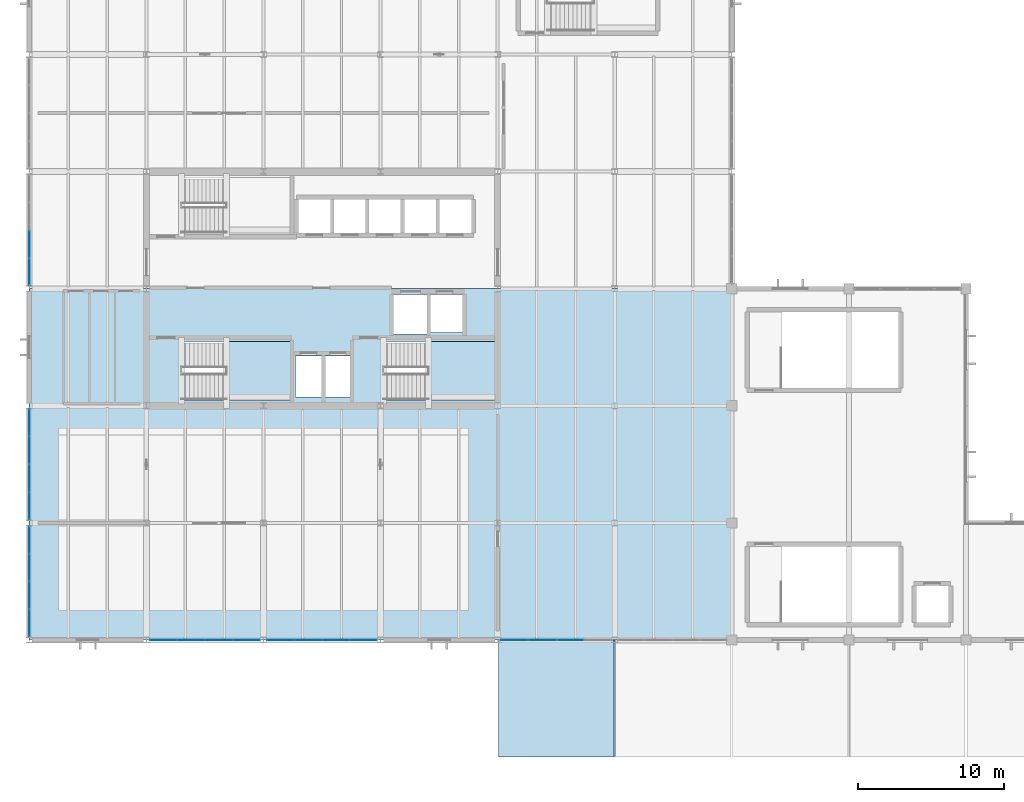
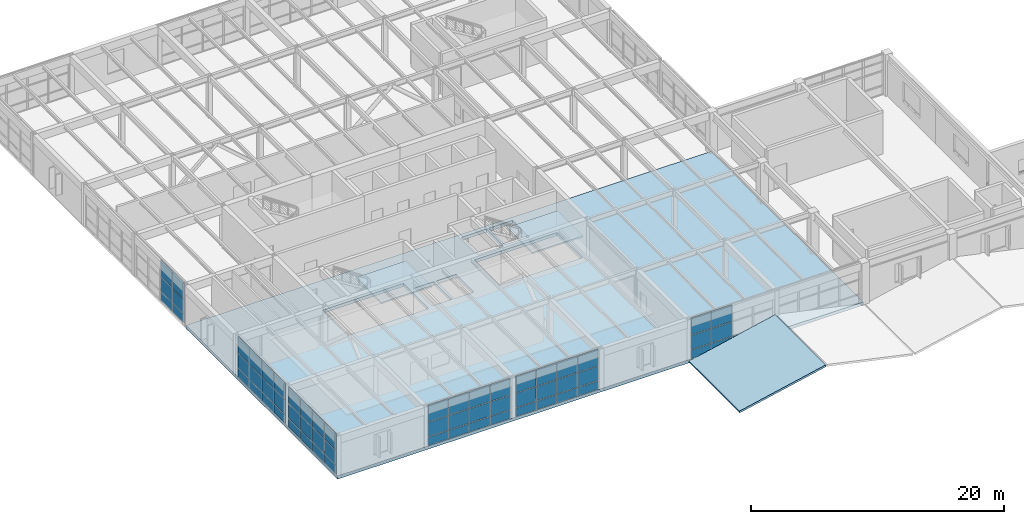
# One storey, part 29 of 48: 61 plates, 4 slabs, 8 elements without a shape of their own.
"""IFC4 building model written with IfcOpenShell, lengths in metres."""

from ifc_helpers import new_model, si_unit, direction, frame, origin, origin_2d, place, context, subcontext, project, spatial, polyline, rectangle, outline, extrude, material, layer, layer_set, type_object, element, aggregate, save


model = new_model("IFC4")

# Units and contexts
model_context = context("Model", 3, precision=1e-05, world=origin(), true_north=direction((0.0, 1.0)))
body_context = subcontext(model_context, "Body", "Model", "MODEL_VIEW")
ifc_project = project(units=[si_unit("LENGTHUNIT", "METRE"), si_unit("AREAUNIT", "SQUARE_METRE"), si_unit("VOLUMEUNIT", "CUBIC_METRE"), si_unit("PLANEANGLEUNIT", "RADIAN"), si_unit("MASSUNIT", "GRAM", prefix="KILO")], contexts=[model_context])

# Site, building, storey
site_placement = place(None, origin())
site = spatial("IfcSite", under=ifc_project, at=site_placement, CompositionType="ELEMENT")
building_placement = place(site_placement, origin())
building = spatial("IfcBuilding", under=site, at=building_placement, Name="Varnela Railside Interchange", CompositionType="ELEMENT")
storey_placement = place(building_placement, frame((0.0, 0.0, 11.199951171875)))
storey = spatial("IfcBuildingStorey", under=building, at=storey_placement, Name="L02", CompositionType="ELEMENT", Elevation=11.199951171875)

# Curtain wall, plates
ifc_material_1 = material(Name="Aluminium 6063-T6", Category="aluminium")
ifc_layer_1 = layer(ifc_material_1, 0.035888671875)
ifc_layer_set_1 = layer_set([ifc_layer_1], Name="Aluminium 6063-T6")
curtain_wall_type = type_object("IfcCurtainWallType", Name="Operations Wing Facade Curtain Wall CW-03", PredefinedType="USERDEFINED", material=ifc_layer_set_1)
curtain_wall_1_placement = place(storey_placement, origin())
curtain_wall_1 = element("IfcCurtainWall", 1, at=curtain_wall_1_placement, inside=storey, type_object=curtain_wall_type, Name="Curtain Wall CW-03 (L02) (CW-047)", ObjectType="CURTAIN WALL", PredefinedType="USERDEFINED")
ifc_material_2 = material(Name="Glass laminated double", Category="glass")
ifc_layer_2 = layer(ifc_material_2, 0.0400390625)
ifc_layer_set_2 = layer_set([ifc_layer_2], Name="Glass laminated double")
plate_type = type_object("IfcPlateType", Name="Acoustic Laminated Vision GL-03", PredefinedType="CURTAIN_PANEL", material=ifc_layer_set_2)
plate_1_placement = place(storey_placement, frame((4.0, 63.155517578125, 0.06005859375), z_axis=(0.0, 0.0, 1.0), x_axis=(0.0, 1.0, 0.0)))
plate_1 = element("IfcPlate", 2, at=plate_1_placement, type_object=plate_type, Name="CW-03 panel 1.1", PredefinedType="CURTAIN_PANEL", context=body_context, shape_type="SweptSolid", body=[
    extrude(rectangle(XDim=1.816162109375, YDim=0.0400390625, at=origin_2d()), origin(), (0.0, 0.0, 1.0), 0.81005859375),
])
plate_2_placement = place(storey_placement, frame((4.0, 63.155517578125, 0.93017578125), z_axis=(0.0, 0.0, 1.0), x_axis=(0.0, 1.0, 0.0)))
plate_2 = element("IfcPlate", 3, at=plate_2_placement, type_object=plate_type, Name="CW-03 panel 1.2", PredefinedType="CURTAIN_PANEL", context=body_context, shape_type="SweptSolid", body=[
    extrude(rectangle(XDim=1.816162109375, YDim=0.0400390625, at=origin_2d()), origin(), (0.0, 0.0, 1.0), 1.360107421875),
])
plate_3_placement = place(storey_placement, frame((4.0, 63.155517578125, 2.35009765625), z_axis=(0.0, 0.0, 1.0), x_axis=(0.0, 1.0, 0.0)))
plate_3 = element("IfcPlate", 4, at=plate_3_placement, type_object=plate_type, Name="CW-03 panel 1.3", PredefinedType="CURTAIN_PANEL", context=body_context, shape_type="SweptSolid", body=[
    extrude(rectangle(XDim=1.816162109375, YDim=0.0400390625, at=origin_2d()), origin(), (0.0, 0.0, 1.0), 1.590087890625),
])
plate_4_placement = place(storey_placement, frame((4.0, 65.046875, 0.06005859375), z_axis=(0.0, 0.0, 1.0), x_axis=(0.0, 1.0, 0.0)))
plate_4 = element("IfcPlate", 5, at=plate_4_placement, type_object=plate_type, Name="CW-03 panel 2.1", PredefinedType="CURTAIN_PANEL", context=body_context, shape_type="SweptSolid", body=[
    extrude(rectangle(XDim=1.84619140625, YDim=0.0400390625, at=origin_2d()), origin(), (0.0, 0.0, 1.0), 0.81005859375),
])
plate_5_placement = place(storey_placement, frame((4.0, 65.046875, 0.93017578125), z_axis=(0.0, 0.0, 1.0), x_axis=(0.0, 1.0, 0.0)))
plate_5 = element("IfcPlate", 6, at=plate_5_placement, type_object=plate_type, Name="CW-03 panel 2.2", PredefinedType="CURTAIN_PANEL", context=body_context, shape_type="SweptSolid", body=[
    extrude(rectangle(XDim=1.84619140625, YDim=0.0400390625, at=origin_2d()), origin(), (0.0, 0.0, 1.0), 1.360107421875),
])
plate_6_placement = place(storey_placement, frame((4.0, 65.046875, 2.35009765625), z_axis=(0.0, 0.0, 1.0), x_axis=(0.0, 1.0, 0.0)))
plate_6 = element("IfcPlate", 7, at=plate_6_placement, type_object=plate_type, Name="CW-03 panel 2.3", PredefinedType="CURTAIN_PANEL", context=body_context, shape_type="SweptSolid", body=[
    extrude(rectangle(XDim=1.84619140625, YDim=0.0400390625, at=origin_2d()), origin(), (0.0, 0.0, 1.0), 1.590087890625),
])
aggregate(curtain_wall_1, [plate_1, plate_2, plate_3, plate_4, plate_5, plate_6])

curtain_wall_2_placement = place(storey_placement, origin())
curtain_wall_2 = element("IfcCurtainWall", 8, at=curtain_wall_2_placement, inside=storey, type_object=curtain_wall_type, Name="Curtain Wall CW-03 (L02) (CW-069)", ObjectType="CURTAIN WALL", PredefinedType="USERDEFINED")
plate_7_placement = place(storey_placement, frame((40.95068359375, 38.0, 0.06005859375), z_axis=(0.0, 0.0, 1.0), x_axis=(-1.0, 0.0, 0.0)))
plate_7 = element("IfcPlate", 9, at=plate_7_placement, type_object=plate_type, Name="CW-03 panel 2.1", PredefinedType="CURTAIN_PANEL", context=body_context, shape_type="SweptSolid", body=[
    extrude(rectangle(XDim=1.841552734375, YDim=0.0400390625, at=origin_2d()), origin(), (0.0, 0.0, 1.0), 0.81005859375),
])
plate_8_placement = place(storey_placement, frame((39.04931640625, 38.0, 0.06005859375), z_axis=(0.0, 0.0, 1.0), x_axis=(-1.0, 0.0, 0.0)))
plate_8 = element("IfcPlate", 10, at=plate_8_placement, type_object=plate_type, Name="CW-03 panel 3.1", PredefinedType="CURTAIN_PANEL", context=body_context, shape_type="SweptSolid", body=[
    extrude(rectangle(XDim=1.841552734375, YDim=0.0400390625, at=origin_2d()), origin(), (0.0, 0.0, 1.0), 0.81005859375),
])
plate_9_placement = place(storey_placement, frame((39.04931640625, 38.0, 0.93017578125), z_axis=(0.0, 0.0, 1.0), x_axis=(-1.0, 0.0, 0.0)))
plate_9 = element("IfcPlate", 11, at=plate_9_placement, type_object=plate_type, Name="CW-03 panel 3.2", PredefinedType="CURTAIN_PANEL", context=body_context, shape_type="SweptSolid", body=[
    extrude(rectangle(XDim=1.841552734375, YDim=0.0400390625, at=origin_2d()), origin(), (0.0, 0.0, 1.0), 1.360107421875),
])
plate_10_placement = place(storey_placement, frame((39.04931640625, 38.0, 2.35009765625), z_axis=(0.0, 0.0, 1.0), x_axis=(-1.0, 0.0, 0.0)))
plate_10 = element("IfcPlate", 12, at=plate_10_placement, type_object=plate_type, Name="CW-03 panel 3.3", PredefinedType="CURTAIN_PANEL", context=body_context, shape_type="SweptSolid", body=[
    extrude(rectangle(XDim=1.841552734375, YDim=0.0400390625, at=origin_2d()), origin(), (0.0, 0.0, 1.0), 1.590087890625),
])
plate_11_placement = place(storey_placement, frame((37.162841796875, 38.0, 0.06005859375), z_axis=(0.0, 0.0, 1.0), x_axis=(-1.0, 0.0, 0.0)))
plate_11 = element("IfcPlate", 13, at=plate_11_placement, type_object=plate_type, Name="CW-03 panel 4.1", PredefinedType="CURTAIN_PANEL", context=body_context, shape_type="SweptSolid", body=[
    extrude(rectangle(XDim=1.8115234375, YDim=0.0400390625, at=origin_2d()), origin(), (0.0, 0.0, 1.0), 0.81005859375),
])
plate_12_placement = place(storey_placement, frame((37.162841796875, 38.0, 0.93017578125), z_axis=(0.0, 0.0, 1.0), x_axis=(-1.0, 0.0, 0.0)))
plate_12 = element("IfcPlate", 14, at=plate_12_placement, type_object=plate_type, Name="CW-03 panel 4.2", PredefinedType="CURTAIN_PANEL", context=body_context, shape_type="SweptSolid", body=[
    extrude(rectangle(XDim=1.8115234375, YDim=0.0400390625, at=origin_2d()), origin(), (0.0, 0.0, 1.0), 1.360107421875),
])
plate_13_placement = place(storey_placement, frame((37.162841796875, 38.0, 2.35009765625), z_axis=(0.0, 0.0, 1.0), x_axis=(-1.0, 0.0, 0.0)))
plate_13 = element("IfcPlate", 15, at=plate_13_placement, type_object=plate_type, Name="CW-03 panel 4.3", PredefinedType="CURTAIN_PANEL", context=body_context, shape_type="SweptSolid", body=[
    extrude(rectangle(XDim=1.8115234375, YDim=0.0400390625, at=origin_2d()), origin(), (0.0, 0.0, 1.0), 1.590087890625),
])
aggregate(curtain_wall_2, [plate_7, plate_8, plate_9, plate_10, plate_11, plate_12, plate_13])

curtain_wall_3_placement = place(storey_placement, origin())
curtain_wall_3 = element("IfcCurtainWall", 16, at=curtain_wall_3_placement, inside=storey, type_object=curtain_wall_type, Name="Curtain Wall CW-03 (L02) (CW-070)", ObjectType="CURTAIN WALL", PredefinedType="USERDEFINED")
plate_14_placement = place(storey_placement, frame((26.837158203125, 38.0, 0.06005859375), z_axis=(0.0, 0.0, 1.0), x_axis=(-1.0, 0.0, 0.0)))
plate_14 = element("IfcPlate", 17, at=plate_14_placement, type_object=plate_type, Name="CW-03 panel 1.1", PredefinedType="CURTAIN_PANEL", context=body_context, shape_type="SweptSolid", body=[
    extrude(rectangle(XDim=1.8115234375, YDim=0.0400390625, at=origin_2d()), origin(), (0.0, 0.0, 1.0), 0.81005859375),
])
plate_15_placement = place(storey_placement, frame((26.837158203125, 38.0, 0.93017578125), z_axis=(0.0, 0.0, 1.0), x_axis=(-1.0, 0.0, 0.0)))
plate_15 = element("IfcPlate", 18, at=plate_15_placement, type_object=plate_type, Name="CW-03 panel 1.2", PredefinedType="CURTAIN_PANEL", context=body_context, shape_type="SweptSolid", body=[
    extrude(rectangle(XDim=1.8115234375, YDim=0.0400390625, at=origin_2d()), origin(), (0.0, 0.0, 1.0), 1.360107421875),
])
plate_16_placement = place(storey_placement, frame((26.837158203125, 38.0, 2.35009765625), z_axis=(0.0, 0.0, 1.0), x_axis=(-1.0, 0.0, 0.0)))
plate_16 = element("IfcPlate", 19, at=plate_16_placement, type_object=plate_type, Name="CW-03 panel 1.3", PredefinedType="CURTAIN_PANEL", context=body_context, shape_type="SweptSolid", body=[
    extrude(rectangle(XDim=1.8115234375, YDim=0.0400390625, at=origin_2d()), origin(), (0.0, 0.0, 1.0), 1.590087890625),
])
plate_17_placement = place(storey_placement, frame((24.95068359375, 38.0, 0.06005859375), z_axis=(0.0, 0.0, 1.0), x_axis=(-1.0, 0.0, 0.0)))
plate_17 = element("IfcPlate", 20, at=plate_17_placement, type_object=plate_type, Name="CW-03 panel 2.1", PredefinedType="CURTAIN_PANEL", context=body_context, shape_type="SweptSolid", body=[
    extrude(rectangle(XDim=1.841552734375, YDim=0.0400390625, at=origin_2d()), origin(), (0.0, 0.0, 1.0), 0.81005859375),
])
plate_18_placement = place(storey_placement, frame((24.95068359375, 38.0, 0.93017578125), z_axis=(0.0, 0.0, 1.0), x_axis=(-1.0, 0.0, 0.0)))
plate_18 = element("IfcPlate", 21, at=plate_18_placement, type_object=plate_type, Name="CW-03 panel 2.2", PredefinedType="CURTAIN_PANEL", context=body_context, shape_type="SweptSolid", body=[
    extrude(rectangle(XDim=1.841552734375, YDim=0.0400390625, at=origin_2d()), origin(), (0.0, 0.0, 1.0), 1.360107421875),
])
plate_19_placement = place(storey_placement, frame((24.95068359375, 38.0, 2.35009765625), z_axis=(0.0, 0.0, 1.0), x_axis=(-1.0, 0.0, 0.0)))
plate_19 = element("IfcPlate", 22, at=plate_19_placement, type_object=plate_type, Name="CW-03 panel 2.3", PredefinedType="CURTAIN_PANEL", context=body_context, shape_type="SweptSolid", body=[
    extrude(rectangle(XDim=1.841552734375, YDim=0.0400390625, at=origin_2d()), origin(), (0.0, 0.0, 1.0), 1.590087890625),
])
plate_20_placement = place(storey_placement, frame((23.04931640625, 38.0, 0.06005859375), z_axis=(0.0, 0.0, 1.0), x_axis=(-1.0, 0.0, 0.0)))
plate_20 = element("IfcPlate", 23, at=plate_20_placement, type_object=plate_type, Name="CW-03 panel 3.1", PredefinedType="CURTAIN_PANEL", context=body_context, shape_type="SweptSolid", body=[
    extrude(rectangle(XDim=1.841552734375, YDim=0.0400390625, at=origin_2d()), origin(), (0.0, 0.0, 1.0), 0.81005859375),
])
plate_21_placement = place(storey_placement, frame((23.04931640625, 38.0, 0.93017578125), z_axis=(0.0, 0.0, 1.0), x_axis=(-1.0, 0.0, 0.0)))
plate_21 = element("IfcPlate", 24, at=plate_21_placement, type_object=plate_type, Name="CW-03 panel 3.2", PredefinedType="CURTAIN_PANEL", context=body_context, shape_type="SweptSolid", body=[
    extrude(rectangle(XDim=1.841552734375, YDim=0.0400390625, at=origin_2d()), origin(), (0.0, 0.0, 1.0), 1.360107421875),
])
plate_22_placement = place(storey_placement, frame((23.04931640625, 38.0, 2.35009765625), z_axis=(0.0, 0.0, 1.0), x_axis=(-1.0, 0.0, 0.0)))
plate_22 = element("IfcPlate", 25, at=plate_22_placement, type_object=plate_type, Name="CW-03 panel 3.3", PredefinedType="CURTAIN_PANEL", context=body_context, shape_type="SweptSolid", body=[
    extrude(rectangle(XDim=1.841552734375, YDim=0.0400390625, at=origin_2d()), origin(), (0.0, 0.0, 1.0), 1.590087890625),
])
plate_23_placement = place(storey_placement, frame((21.162841796875, 38.0, 0.06005859375), z_axis=(0.0, 0.0, 1.0), x_axis=(-1.0, 0.0, 0.0)))
plate_23 = element("IfcPlate", 26, at=plate_23_placement, type_object=plate_type, Name="CW-03 panel 4.1", PredefinedType="CURTAIN_PANEL", context=body_context, shape_type="SweptSolid", body=[
    extrude(rectangle(XDim=1.8115234375, YDim=0.0400390625, at=origin_2d()), origin(), (0.0, 0.0, 1.0), 0.81005859375),
])
plate_24_placement = place(storey_placement, frame((21.162841796875, 38.0, 0.93017578125), z_axis=(0.0, 0.0, 1.0), x_axis=(-1.0, 0.0, 0.0)))
plate_24 = element("IfcPlate", 27, at=plate_24_placement, type_object=plate_type, Name="CW-03 panel 4.2", PredefinedType="CURTAIN_PANEL", context=body_context, shape_type="SweptSolid", body=[
    extrude(rectangle(XDim=1.8115234375, YDim=0.0400390625, at=origin_2d()), origin(), (0.0, 0.0, 1.0), 1.360107421875),
])
plate_25_placement = place(storey_placement, frame((21.162841796875, 38.0, 2.35009765625), z_axis=(0.0, 0.0, 1.0), x_axis=(-1.0, 0.0, 0.0)))
plate_25 = element("IfcPlate", 28, at=plate_25_placement, type_object=plate_type, Name="CW-03 panel 4.3", PredefinedType="CURTAIN_PANEL", context=body_context, shape_type="SweptSolid", body=[
    extrude(rectangle(XDim=1.8115234375, YDim=0.0400390625, at=origin_2d()), origin(), (0.0, 0.0, 1.0), 1.590087890625),
])
aggregate(curtain_wall_3, [plate_14, plate_15, plate_16, plate_17, plate_18, plate_19, plate_20, plate_21, plate_22, plate_23, plate_24, plate_25])

curtain_wall_4_placement = place(storey_placement, origin())
curtain_wall_4 = element("IfcCurtainWall", 29, at=curtain_wall_4_placement, inside=storey, type_object=curtain_wall_type, Name="Curtain Wall CW-03 (L02) (CW-071)", ObjectType="CURTAIN WALL", PredefinedType="USERDEFINED")
plate_26_placement = place(storey_placement, frame((18.837158203125, 38.0, 0.06005859375), z_axis=(0.0, 0.0, 1.0), x_axis=(-1.0, 0.0, 0.0)))
plate_26 = element("IfcPlate", 30, at=plate_26_placement, type_object=plate_type, Name="CW-03 panel 1.1", PredefinedType="CURTAIN_PANEL", context=body_context, shape_type="SweptSolid", body=[
    extrude(rectangle(XDim=1.8115234375, YDim=0.0400390625, at=origin_2d()), origin(), (0.0, 0.0, 1.0), 0.81005859375),
])
plate_27_placement = place(storey_placement, frame((18.837158203125, 38.0, 0.93017578125), z_axis=(0.0, 0.0, 1.0), x_axis=(-1.0, 0.0, 0.0)))
plate_27 = element("IfcPlate", 31, at=plate_27_placement, type_object=plate_type, Name="CW-03 panel 1.2", PredefinedType="CURTAIN_PANEL", context=body_context, shape_type="SweptSolid", body=[
    extrude(rectangle(XDim=1.8115234375, YDim=0.0400390625, at=origin_2d()), origin(), (0.0, 0.0, 1.0), 1.360107421875),
])
plate_28_placement = place(storey_placement, frame((18.837158203125, 38.0, 2.35009765625), z_axis=(0.0, 0.0, 1.0), x_axis=(-1.0, 0.0, 0.0)))
plate_28 = element("IfcPlate", 32, at=plate_28_placement, type_object=plate_type, Name="CW-03 panel 1.3", PredefinedType="CURTAIN_PANEL", context=body_context, shape_type="SweptSolid", body=[
    extrude(rectangle(XDim=1.8115234375, YDim=0.0400390625, at=origin_2d()), origin(), (0.0, 0.0, 1.0), 1.590087890625),
])
plate_29_placement = place(storey_placement, frame((16.95068359375, 38.0, 0.06005859375), z_axis=(0.0, 0.0, 1.0), x_axis=(-1.0, 0.0, 0.0)))
plate_29 = element("IfcPlate", 33, at=plate_29_placement, type_object=plate_type, Name="CW-03 panel 2.1", PredefinedType="CURTAIN_PANEL", context=body_context, shape_type="SweptSolid", body=[
    extrude(rectangle(XDim=1.841552734375, YDim=0.0400390625, at=origin_2d()), origin(), (0.0, 0.0, 1.0), 0.81005859375),
])
plate_30_placement = place(storey_placement, frame((16.95068359375, 38.0, 0.93017578125), z_axis=(0.0, 0.0, 1.0), x_axis=(-1.0, 0.0, 0.0)))
plate_30 = element("IfcPlate", 34, at=plate_30_placement, type_object=plate_type, Name="CW-03 panel 2.2", PredefinedType="CURTAIN_PANEL", context=body_context, shape_type="SweptSolid", body=[
    extrude(rectangle(XDim=1.841552734375, YDim=0.0400390625, at=origin_2d()), origin(), (0.0, 0.0, 1.0), 1.360107421875),
])
plate_31_placement = place(storey_placement, frame((16.95068359375, 38.0, 2.35009765625), z_axis=(0.0, 0.0, 1.0), x_axis=(-1.0, 0.0, 0.0)))
plate_31 = element("IfcPlate", 35, at=plate_31_placement, type_object=plate_type, Name="CW-03 panel 2.3", PredefinedType="CURTAIN_PANEL", context=body_context, shape_type="SweptSolid", body=[
    extrude(rectangle(XDim=1.841552734375, YDim=0.0400390625, at=origin_2d()), origin(), (0.0, 0.0, 1.0), 1.590087890625),
])
plate_32_placement = place(storey_placement, frame((15.04931640625, 38.0, 0.06005859375), z_axis=(0.0, 0.0, 1.0), x_axis=(-1.0, 0.0, 0.0)))
plate_32 = element("IfcPlate", 36, at=plate_32_placement, type_object=plate_type, Name="CW-03 panel 3.1", PredefinedType="CURTAIN_PANEL", context=body_context, shape_type="SweptSolid", body=[
    extrude(rectangle(XDim=1.841552734375, YDim=0.0400390625, at=origin_2d()), origin(), (0.0, 0.0, 1.0), 0.81005859375),
])
plate_33_placement = place(storey_placement, frame((15.04931640625, 38.0, 0.93017578125), z_axis=(0.0, 0.0, 1.0), x_axis=(-1.0, 0.0, 0.0)))
plate_33 = element("IfcPlate", 37, at=plate_33_placement, type_object=plate_type, Name="CW-03 panel 3.2", PredefinedType="CURTAIN_PANEL", context=body_context, shape_type="SweptSolid", body=[
    extrude(rectangle(XDim=1.841552734375, YDim=0.0400390625, at=origin_2d()), origin(), (0.0, 0.0, 1.0), 1.360107421875),
])
plate_34_placement = place(storey_placement, frame((15.04931640625, 38.0, 2.35009765625), z_axis=(0.0, 0.0, 1.0), x_axis=(-1.0, 0.0, 0.0)))
plate_34 = element("IfcPlate", 38, at=plate_34_placement, type_object=plate_type, Name="CW-03 panel 3.3", PredefinedType="CURTAIN_PANEL", context=body_context, shape_type="SweptSolid", body=[
    extrude(rectangle(XDim=1.841552734375, YDim=0.0400390625, at=origin_2d()), origin(), (0.0, 0.0, 1.0), 1.590087890625),
])
plate_35_placement = place(storey_placement, frame((13.162841796875, 38.0, 0.06005859375), z_axis=(0.0, 0.0, 1.0), x_axis=(-1.0, 0.0, 0.0)))
plate_35 = element("IfcPlate", 39, at=plate_35_placement, type_object=plate_type, Name="CW-03 panel 4.1", PredefinedType="CURTAIN_PANEL", context=body_context, shape_type="SweptSolid", body=[
    extrude(rectangle(XDim=1.8115234375, YDim=0.0400390625, at=origin_2d()), origin(), (0.0, 0.0, 1.0), 0.81005859375),
])
plate_36_placement = place(storey_placement, frame((13.162841796875, 38.0, 0.93017578125), z_axis=(0.0, 0.0, 1.0), x_axis=(-1.0, 0.0, 0.0)))
plate_36 = element("IfcPlate", 40, at=plate_36_placement, type_object=plate_type, Name="CW-03 panel 4.2", PredefinedType="CURTAIN_PANEL", context=body_context, shape_type="SweptSolid", body=[
    extrude(rectangle(XDim=1.8115234375, YDim=0.0400390625, at=origin_2d()), origin(), (0.0, 0.0, 1.0), 1.360107421875),
])
plate_37_placement = place(storey_placement, frame((13.162841796875, 38.0, 2.35009765625), z_axis=(0.0, 0.0, 1.0), x_axis=(-1.0, 0.0, 0.0)))
plate_37 = element("IfcPlate", 41, at=plate_37_placement, type_object=plate_type, Name="CW-03 panel 4.3", PredefinedType="CURTAIN_PANEL", context=body_context, shape_type="SweptSolid", body=[
    extrude(rectangle(XDim=1.8115234375, YDim=0.0400390625, at=origin_2d()), origin(), (0.0, 0.0, 1.0), 1.590087890625),
])
aggregate(curtain_wall_4, [plate_26, plate_27, plate_28, plate_29, plate_30, plate_31, plate_32, plate_33, plate_34, plate_35, plate_36, plate_37])

curtain_wall_5_placement = place(storey_placement, origin())
curtain_wall_5 = element("IfcCurtainWall", 42, at=curtain_wall_5_placement, inside=storey, type_object=curtain_wall_type, Name="Curtain Wall CW-03 (L02) (CW-072)", ObjectType="CURTAIN WALL", PredefinedType="USERDEFINED")
plate_38_placement = place(storey_placement, frame((4.0, 39.155517578125, 0.06005859375), z_axis=(0.0, 0.0, 1.0), x_axis=(0.0, 1.0, 0.0)))
plate_38 = element("IfcPlate", 43, at=plate_38_placement, type_object=plate_type, Name="CW-03 panel 1.1", PredefinedType="CURTAIN_PANEL", context=body_context, shape_type="SweptSolid", body=[
    extrude(rectangle(XDim=1.816162109375, YDim=0.0400390625, at=origin_2d()), origin(), (0.0, 0.0, 1.0), 0.81005859375),
])
plate_39_placement = place(storey_placement, frame((4.0, 39.155517578125, 0.93017578125), z_axis=(0.0, 0.0, 1.0), x_axis=(0.0, 1.0, 0.0)))
plate_39 = element("IfcPlate", 44, at=plate_39_placement, type_object=plate_type, Name="CW-03 panel 1.2", PredefinedType="CURTAIN_PANEL", context=body_context, shape_type="SweptSolid", body=[
    extrude(rectangle(XDim=1.816162109375, YDim=0.0400390625, at=origin_2d()), origin(), (0.0, 0.0, 1.0), 1.360107421875),
])
plate_40_placement = place(storey_placement, frame((4.0, 39.155517578125, 2.35009765625), z_axis=(0.0, 0.0, 1.0), x_axis=(0.0, 1.0, 0.0)))
plate_40 = element("IfcPlate", 45, at=plate_40_placement, type_object=plate_type, Name="CW-03 panel 1.3", PredefinedType="CURTAIN_PANEL", context=body_context, shape_type="SweptSolid", body=[
    extrude(rectangle(XDim=1.816162109375, YDim=0.0400390625, at=origin_2d()), origin(), (0.0, 0.0, 1.0), 1.590087890625),
])
plate_41_placement = place(storey_placement, frame((4.0, 41.046875, 0.06005859375), z_axis=(0.0, 0.0, 1.0), x_axis=(0.0, 1.0, 0.0)))
plate_41 = element("IfcPlate", 46, at=plate_41_placement, type_object=plate_type, Name="CW-03 panel 2.1", PredefinedType="CURTAIN_PANEL", context=body_context, shape_type="SweptSolid", body=[
    extrude(rectangle(XDim=1.84619140625, YDim=0.0400390625, at=origin_2d()), origin(), (0.0, 0.0, 1.0), 0.81005859375),
])
plate_42_placement = place(storey_placement, frame((4.0, 41.046875, 0.93017578125), z_axis=(0.0, 0.0, 1.0), x_axis=(0.0, 1.0, 0.0)))
plate_42 = element("IfcPlate", 47, at=plate_42_placement, type_object=plate_type, Name="CW-03 panel 2.2", PredefinedType="CURTAIN_PANEL", context=body_context, shape_type="SweptSolid", body=[
    extrude(rectangle(XDim=1.84619140625, YDim=0.0400390625, at=origin_2d()), origin(), (0.0, 0.0, 1.0), 1.360107421875),
])
plate_43_placement = place(storey_placement, frame((4.0, 41.046875, 2.35009765625), z_axis=(0.0, 0.0, 1.0), x_axis=(0.0, 1.0, 0.0)))
plate_43 = element("IfcPlate", 48, at=plate_43_placement, type_object=plate_type, Name="CW-03 panel 2.3", PredefinedType="CURTAIN_PANEL", context=body_context, shape_type="SweptSolid", body=[
    extrude(rectangle(XDim=1.84619140625, YDim=0.0400390625, at=origin_2d()), origin(), (0.0, 0.0, 1.0), 1.590087890625),
])
plate_44_placement = place(storey_placement, frame((4.0, 42.953125, 0.06005859375), z_axis=(0.0, 0.0, 1.0), x_axis=(0.0, 1.0, 0.0)))
plate_44 = element("IfcPlate", 49, at=plate_44_placement, type_object=plate_type, Name="CW-03 panel 3.1", PredefinedType="CURTAIN_PANEL", context=body_context, shape_type="SweptSolid", body=[
    extrude(rectangle(XDim=1.84619140625, YDim=0.0400390625, at=origin_2d()), origin(), (0.0, 0.0, 1.0), 0.81005859375),
])
plate_45_placement = place(storey_placement, frame((4.0, 42.953125, 0.93017578125), z_axis=(0.0, 0.0, 1.0), x_axis=(0.0, 1.0, 0.0)))
plate_45 = element("IfcPlate", 50, at=plate_45_placement, type_object=plate_type, Name="CW-03 panel 3.2", PredefinedType="CURTAIN_PANEL", context=body_context, shape_type="SweptSolid", body=[
    extrude(rectangle(XDim=1.84619140625, YDim=0.0400390625, at=origin_2d()), origin(), (0.0, 0.0, 1.0), 1.360107421875),
])
plate_46_placement = place(storey_placement, frame((4.0, 42.953125, 2.35009765625), z_axis=(0.0, 0.0, 1.0), x_axis=(0.0, 1.0, 0.0)))
plate_46 = element("IfcPlate", 51, at=plate_46_placement, type_object=plate_type, Name="CW-03 panel 3.3", PredefinedType="CURTAIN_PANEL", context=body_context, shape_type="SweptSolid", body=[
    extrude(rectangle(XDim=1.84619140625, YDim=0.0400390625, at=origin_2d()), origin(), (0.0, 0.0, 1.0), 1.590087890625),
])
plate_47_placement = place(storey_placement, frame((4.0, 44.844482421875, 0.06005859375), z_axis=(0.0, 0.0, 1.0), x_axis=(0.0, 1.0, 0.0)))
plate_47 = element("IfcPlate", 52, at=plate_47_placement, type_object=plate_type, Name="CW-03 panel 4.1", PredefinedType="CURTAIN_PANEL", context=body_context, shape_type="SweptSolid", body=[
    extrude(rectangle(XDim=1.816162109375, YDim=0.0400390625, at=origin_2d()), origin(), (0.0, 0.0, 1.0), 0.81005859375),
])
plate_48_placement = place(storey_placement, frame((4.0, 44.844482421875, 0.93017578125), z_axis=(0.0, 0.0, 1.0), x_axis=(0.0, 1.0, 0.0)))
plate_48 = element("IfcPlate", 53, at=plate_48_placement, type_object=plate_type, Name="CW-03 panel 4.2", PredefinedType="CURTAIN_PANEL", context=body_context, shape_type="SweptSolid", body=[
    extrude(rectangle(XDim=1.816162109375, YDim=0.0400390625, at=origin_2d()), origin(), (0.0, 0.0, 1.0), 1.360107421875),
])
plate_49_placement = place(storey_placement, frame((4.0, 44.844482421875, 2.35009765625), z_axis=(0.0, 0.0, 1.0), x_axis=(0.0, 1.0, 0.0)))
plate_49 = element("IfcPlate", 54, at=plate_49_placement, type_object=plate_type, Name="CW-03 panel 4.3", PredefinedType="CURTAIN_PANEL", context=body_context, shape_type="SweptSolid", body=[
    extrude(rectangle(XDim=1.816162109375, YDim=0.0400390625, at=origin_2d()), origin(), (0.0, 0.0, 1.0), 1.590087890625),
])
aggregate(curtain_wall_5, [plate_38, plate_39, plate_40, plate_41, plate_42, plate_43, plate_44, plate_45, plate_46, plate_47, plate_48, plate_49])

curtain_wall_6_placement = place(storey_placement, origin())
curtain_wall_6 = element("IfcCurtainWall", 55, at=curtain_wall_6_placement, inside=storey, type_object=curtain_wall_type, Name="Curtain Wall CW-03 (L02) (CW-073)", ObjectType="CURTAIN WALL", PredefinedType="USERDEFINED")
plate_50_placement = place(storey_placement, frame((4.0, 47.155517578125, 0.06005859375), z_axis=(0.0, 0.0, 1.0), x_axis=(0.0, 1.0, 0.0)))
plate_50 = element("IfcPlate", 56, at=plate_50_placement, type_object=plate_type, Name="CW-03 panel 1.1", PredefinedType="CURTAIN_PANEL", context=body_context, shape_type="SweptSolid", body=[
    extrude(rectangle(XDim=1.816162109375, YDim=0.0400390625, at=origin_2d()), origin(), (0.0, 0.0, 1.0), 0.81005859375),
])
plate_51_placement = place(storey_placement, frame((4.0, 47.155517578125, 0.93017578125), z_axis=(0.0, 0.0, 1.0), x_axis=(0.0, 1.0, 0.0)))
plate_51 = element("IfcPlate", 57, at=plate_51_placement, type_object=plate_type, Name="CW-03 panel 1.2", PredefinedType="CURTAIN_PANEL", context=body_context, shape_type="SweptSolid", body=[
    extrude(rectangle(XDim=1.816162109375, YDim=0.0400390625, at=origin_2d()), origin(), (0.0, 0.0, 1.0), 1.360107421875),
])
plate_52_placement = place(storey_placement, frame((4.0, 47.155517578125, 2.35009765625), z_axis=(0.0, 0.0, 1.0), x_axis=(0.0, 1.0, 0.0)))
plate_52 = element("IfcPlate", 58, at=plate_52_placement, type_object=plate_type, Name="CW-03 panel 1.3", PredefinedType="CURTAIN_PANEL", context=body_context, shape_type="SweptSolid", body=[
    extrude(rectangle(XDim=1.816162109375, YDim=0.0400390625, at=origin_2d()), origin(), (0.0, 0.0, 1.0), 1.590087890625),
])
plate_53_placement = place(storey_placement, frame((4.0, 49.046875, 0.06005859375), z_axis=(0.0, 0.0, 1.0), x_axis=(0.0, 1.0, 0.0)))
plate_53 = element("IfcPlate", 59, at=plate_53_placement, type_object=plate_type, Name="CW-03 panel 2.1", PredefinedType="CURTAIN_PANEL", context=body_context, shape_type="SweptSolid", body=[
    extrude(rectangle(XDim=1.84619140625, YDim=0.0400390625, at=origin_2d()), origin(), (0.0, 0.0, 1.0), 0.81005859375),
])
plate_54_placement = place(storey_placement, frame((4.0, 49.046875, 0.93017578125), z_axis=(0.0, 0.0, 1.0), x_axis=(0.0, 1.0, 0.0)))
plate_54 = element("IfcPlate", 60, at=plate_54_placement, type_object=plate_type, Name="CW-03 panel 2.2", PredefinedType="CURTAIN_PANEL", context=body_context, shape_type="SweptSolid", body=[
    extrude(rectangle(XDim=1.84619140625, YDim=0.0400390625, at=origin_2d()), origin(), (0.0, 0.0, 1.0), 1.360107421875),
])
plate_55_placement = place(storey_placement, frame((4.0, 49.046875, 2.35009765625), z_axis=(0.0, 0.0, 1.0), x_axis=(0.0, 1.0, 0.0)))
plate_55 = element("IfcPlate", 61, at=plate_55_placement, type_object=plate_type, Name="CW-03 panel 2.3", PredefinedType="CURTAIN_PANEL", context=body_context, shape_type="SweptSolid", body=[
    extrude(rectangle(XDim=1.84619140625, YDim=0.0400390625, at=origin_2d()), origin(), (0.0, 0.0, 1.0), 1.590087890625),
])
plate_56_placement = place(storey_placement, frame((4.0, 50.953125, 0.06005859375), z_axis=(0.0, 0.0, 1.0), x_axis=(0.0, 1.0, 0.0)))
plate_56 = element("IfcPlate", 62, at=plate_56_placement, type_object=plate_type, Name="CW-03 panel 3.1", PredefinedType="CURTAIN_PANEL", context=body_context, shape_type="SweptSolid", body=[
    extrude(rectangle(XDim=1.84619140625, YDim=0.0400390625, at=origin_2d()), origin(), (0.0, 0.0, 1.0), 0.81005859375),
])
plate_57_placement = place(storey_placement, frame((4.0, 50.953125, 0.93017578125), z_axis=(0.0, 0.0, 1.0), x_axis=(0.0, 1.0, 0.0)))
plate_57 = element("IfcPlate", 63, at=plate_57_placement, type_object=plate_type, Name="CW-03 panel 3.2", PredefinedType="CURTAIN_PANEL", context=body_context, shape_type="SweptSolid", body=[
    extrude(rectangle(XDim=1.84619140625, YDim=0.0400390625, at=origin_2d()), origin(), (0.0, 0.0, 1.0), 1.360107421875),
])
plate_58_placement = place(storey_placement, frame((4.0, 50.953125, 2.35009765625), z_axis=(0.0, 0.0, 1.0), x_axis=(0.0, 1.0, 0.0)))
plate_58 = element("IfcPlate", 64, at=plate_58_placement, type_object=plate_type, Name="CW-03 panel 3.3", PredefinedType="CURTAIN_PANEL", context=body_context, shape_type="SweptSolid", body=[
    extrude(rectangle(XDim=1.84619140625, YDim=0.0400390625, at=origin_2d()), origin(), (0.0, 0.0, 1.0), 1.590087890625),
])
plate_59_placement = place(storey_placement, frame((4.0, 52.844482421875, 0.06005859375), z_axis=(0.0, 0.0, 1.0), x_axis=(0.0, 1.0, 0.0)))
plate_59 = element("IfcPlate", 65, at=plate_59_placement, type_object=plate_type, Name="CW-03 panel 4.1", PredefinedType="CURTAIN_PANEL", context=body_context, shape_type="SweptSolid", body=[
    extrude(rectangle(XDim=1.816162109375, YDim=0.0400390625, at=origin_2d()), origin(), (0.0, 0.0, 1.0), 0.81005859375),
])
plate_60_placement = place(storey_placement, frame((4.0, 52.844482421875, 0.93017578125), z_axis=(0.0, 0.0, 1.0), x_axis=(0.0, 1.0, 0.0)))
plate_60 = element("IfcPlate", 66, at=plate_60_placement, type_object=plate_type, Name="CW-03 panel 4.2", PredefinedType="CURTAIN_PANEL", context=body_context, shape_type="SweptSolid", body=[
    extrude(rectangle(XDim=1.816162109375, YDim=0.0400390625, at=origin_2d()), origin(), (0.0, 0.0, 1.0), 1.360107421875),
])
plate_61_placement = place(storey_placement, frame((4.0, 52.844482421875, 2.35009765625), z_axis=(0.0, 0.0, 1.0), x_axis=(0.0, 1.0, 0.0)))
plate_61 = element("IfcPlate", 67, at=plate_61_placement, type_object=plate_type, Name="CW-03 panel 4.3", PredefinedType="CURTAIN_PANEL", context=body_context, shape_type="SweptSolid", body=[
    extrude(rectangle(XDim=1.816162109375, YDim=0.0400390625, at=origin_2d()), origin(), (0.0, 0.0, 1.0), 1.590087890625),
])
aggregate(curtain_wall_6, [plate_50, plate_51, plate_52, plate_53, plate_54, plate_55, plate_56, plate_57, plate_58, plate_59, plate_60, plate_61])

# Slabs
ifc_material_3 = material(Name="Concrete C40", Category="concrete")
ifc_layer_3 = layer(ifc_material_3, 0.300048828125)
ifc_layer_set_3 = layer_set([ifc_layer_3], Name="Concrete C40")
slab_type_1 = type_object("IfcSlabType", Name="Auditorium & Concourse Slab SL-L02", PredefinedType="FLOOR", material=ifc_layer_set_3)
slab_1_placement = place(storey_placement, frame((0.0, 0.0, -0.300048828125)))
element("IfcSlab", 68, at=slab_1_placement, inside=storey, type_object=slab_type_1, Name="Auditorium & Concourse Slab SL-L02 (L02) (SL-0134)", PredefinedType="FLOOR", context=body_context, shape_type="SweptSolid", body=[
    extrude(outline(polyline([(4.0, 38.0), (52.0, 38.0), (52.0, 62.0), (4.0, 62.0), (4.0, 38.0)]), holes=[polyline([(14.429931640625, 54.39990234375), (21.800048828125, 54.39990234375), (21.800048828125, 58.39990234375), (14.429931640625, 58.39990234375), (14.429931640625, 54.39990234375)]), polyline([(28.22998046875, 54.39990234375), (35.800048828125, 54.39990234375), (35.800048828125, 58.39990234375), (28.22998046875, 58.39990234375), (28.22998046875, 54.39990234375)]), polyline([(22.199951171875, 54.60009765625), (24.0, 54.60009765625), (24.0, 57.39990234375), (22.199951171875, 57.39990234375), (22.199951171875, 54.60009765625)]), polyline([(24.199951171875, 54.60009765625), (26.0, 54.60009765625), (26.0, 57.39990234375), (24.199951171875, 57.39990234375), (24.199951171875, 54.60009765625)]), polyline([(31.39990234375, 59.0), (33.60009765625, 59.0), (33.60009765625, 61.60009765625), (31.39990234375, 61.60009765625), (31.39990234375, 59.0)]), polyline([(28.89990234375, 58.89990234375), (31.199951171875, 58.89990234375), (31.199951171875, 61.60009765625), (28.89990234375, 61.60009765625), (28.89990234375, 58.89990234375)])]), origin(), (0.0, 0.0, 1.0), 0.300048828125),
])
ifc_layer_4 = layer(ifc_material_3, 0.18994140625)
ifc_layer_set_4 = layer_set([ifc_layer_4], Name="Concrete C40")
slab_type_2 = type_object("IfcSlabType", Name="Folded-Plate Bus End Canopy Shell CS-02", PredefinedType="ROOF", material=ifc_layer_set_4)
slab_2_placement = place(storey_placement, frame((36.06005859375, 30.0, -0.10498046875), z_axis=(-0.211489165579, 0.0, 0.977380341956), x_axis=(0.977380341956, 0.0, 0.211489165579)))
element("IfcSlab", 69, at=slab_2_placement, inside=storey, type_object=slab_type_2, Name="Folded-Plate Bus End Canopy Shell CS-02 (L02) (SL-0136)", PredefinedType="ROOF", context=body_context, shape_type="SweptSolid", body=[
    extrude(outline(polyline([(0.0, 0.0), (8.062248107760418, 0.0), (8.062248107760418, 8.0), (0.0, 8.0), (0.0, 0.0)])), origin(), (0.0, 0.0, -1.0), 0.18994140625),
])

# Stair, slab
stair_type = type_object("IfcStairType", Name="Core Pressurized Stair ST-165", PredefinedType="TWO_STRAIGHT_RUN_STAIR", material=ifc_material_3)
stair_1_placement = place(storey_placement, origin())
stair_1 = element("IfcStair", 70, at=stair_1_placement, inside=storey, type_object=stair_type, Name="Stair ST-T1 (L02) (SF-163)", PredefinedType="TWO_STRAIGHT_RUN_STAIR")
ifc_layer_5 = layer(ifc_material_3, 0.159912109375)
ifc_layer_set_5 = layer_set([ifc_layer_5], Name="Concrete C40")
slab_type_3 = type_object("IfcSlabType", Name="Stair Half-Landing Slab SL-LD", PredefinedType="LANDING", material=ifc_layer_set_5)
slab_3_placement = place(storey_placement, frame((0.0, 0.0, 1.93994140625)))
slab_3 = element("IfcSlab", 71, at=slab_3_placement, type_object=slab_type_3, Name="ST-T1 landing 1 (SL-0150)", PredefinedType="LANDING", context=body_context, shape_type="SweptSolid", body=[
    extrude(outline(polyline([(17.449951171875, 54.39990234375), (22.06005859375, 54.39990234375), (22.06005859375, 58.39990234375), (17.449951171875, 58.39990234375), (17.449951171875, 54.39990234375)])), origin(), (0.0, 0.0, 1.0), 0.16015625),
])
aggregate(stair_1, [slab_3])

stair_2_placement = place(storey_placement, origin())
stair_2 = element("IfcStair", 72, at=stair_2_placement, inside=storey, type_object=stair_type, Name="Stair ST-T2 (L02) (SF-166)", PredefinedType="TWO_STRAIGHT_RUN_STAIR")
slab_4_placement = place(storey_placement, frame((0.0, 0.0, 1.93994140625)))
slab_4 = element("IfcSlab", 73, at=slab_4_placement, type_object=slab_type_3, Name="ST-T2 landing 1 (SL-0151)", PredefinedType="LANDING", context=body_context, shape_type="SweptSolid", body=[
    extrude(outline(polyline([(31.25, 54.39990234375), (35.860107421875, 54.39990234375), (35.860107421875, 58.39990234375), (31.25, 58.39990234375), (31.25, 54.39990234375)])), origin(), (0.0, 0.0, 1.0), 0.16015625),
])
aggregate(stair_2, [slab_4])

save(model, "model.ifc")
